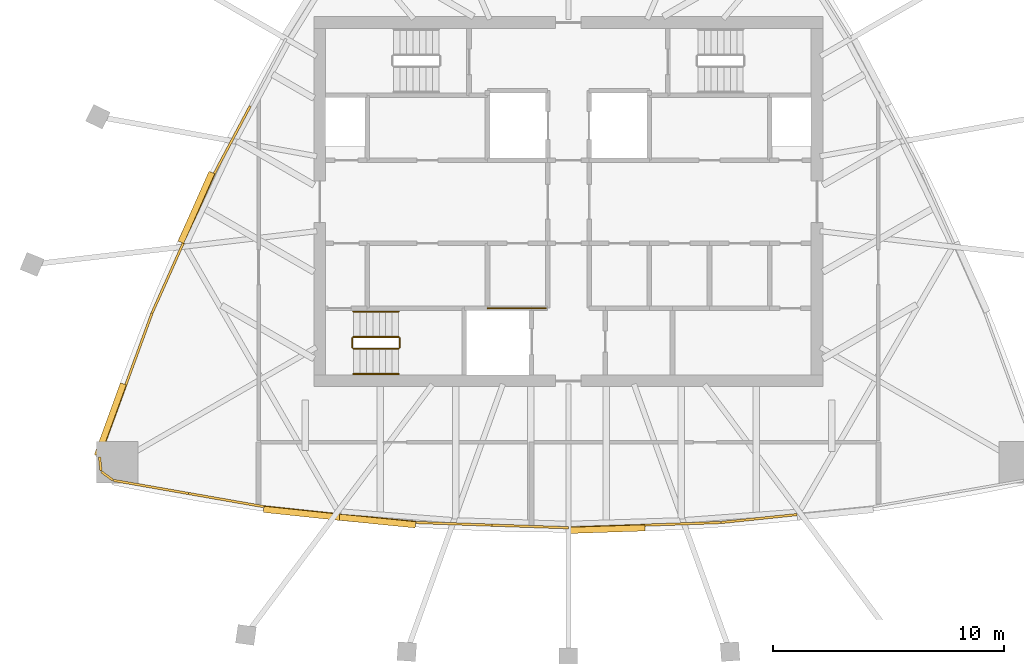
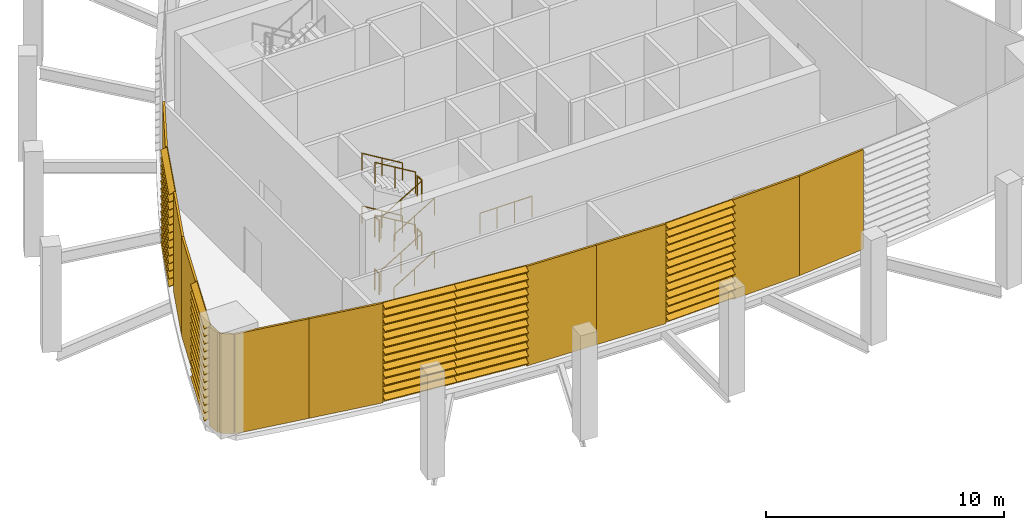
# One storey, part 6 of 8: 13 railings, 11 coverings, 5 shading devices.
"""IFC4 building model written with IfcOpenShell, lengths in metres."""

from ifc_helpers import new_model, si_unit, direction, frame, origin, origin_2d, place, context, subcontext, project, spatial, polyline, circle, outline, extrude, material, layer, layer_set, type_object, element, save


model = new_model("IFC4")

# Units and contexts
model_context = context("Model", 3, precision=1e-05, world=origin(), true_north=direction((0.0, 1.0)))
body_context = subcontext(model_context, "Body", "Model", "MODEL_VIEW")
ifc_project = project(units=[si_unit("LENGTHUNIT", "METRE"), si_unit("AREAUNIT", "SQUARE_METRE"), si_unit("VOLUMEUNIT", "CUBIC_METRE"), si_unit("PLANEANGLEUNIT", "RADIAN"), si_unit("MASSUNIT", "GRAM", prefix="KILO")], contexts=[model_context])

# Site, building, storey
site_placement = place(None, origin())
site = spatial("IfcSite", under=ifc_project, at=site_placement, CompositionType="ELEMENT")
building_placement = place(site_placement, origin())
building = spatial("IfcBuilding", under=site, at=building_placement, Name="Sierra Prisma Convention Tower", CompositionType="ELEMENT")
storey_placement = place(building_placement, frame((0.0, 0.0, 350.199951171875)))
storey = spatial("IfcBuildingStorey", under=building, at=storey_placement, Name="L78", CompositionType="ELEMENT", Elevation=350.199951171875)

# Coverings
ifc_material_1 = material(Name="Aluminium composite bronze anodised", Category="aluminium")
ifc_layer = layer(ifc_material_1, 0.10009765625)
ifc_layer_set = layer_set([ifc_layer], Name="Bronze cladding panel")
covering_type = type_object("IfcCoveringType", Name="Bronze cladding panel", PredefinedType="CLADDING", material=ifc_layer_set)
covering_1_placement = place(storey_placement, origin())
element("IfcCovering", 1, at=covering_1_placement, inside=storey, type_object=covering_type, Name="Crown cladding L78.1", PredefinedType="CLADDING", context=body_context, shape_type="SweptSolid", body=[
    extrude(outline(polyline([(-19.66845703125, -12.000244140625), (-16.41650390625, -12.568603515625), (-16.433837890625, -12.667236328125), (-19.685546875, -12.0986328125), (-19.66845703125, -12.000244140625)])), origin(), (0.0, 0.0, 1.0), 5.10009765625),
])
covering_2_placement = place(storey_placement, origin())
element("IfcCovering", 2, at=covering_2_placement, inside=storey, type_object=covering_type, Name="Crown cladding L78.2", PredefinedType="CLADDING", context=body_context, shape_type="SweptSolid", body=[
    extrude(outline(polyline([(-16.41650390625, -12.568603515625), (-13.164794921875, -13.13720703125), (-13.18212890625, -13.235595703125), (-16.433837890625, -12.667236328125), (-16.41650390625, -12.568603515625)])), origin(), (0.0, 0.0, 1.0), 5.10009765625),
])
covering_3_placement = place(storey_placement, origin())
element("IfcCovering", 3, at=covering_3_placement, inside=storey, type_object=covering_type, Name="Crown cladding L78.5", PredefinedType="CLADDING", context=body_context, shape_type="SweptSolid", body=[
    extrude(outline(polyline([(-6.59814453125, -13.821533203125), (-3.299072265625, -13.935791015625), (-3.302490234375, -14.03564453125), (-6.601806640625, -13.92138671875), (-6.59814453125, -13.821533203125)])), origin(), (0.0, 0.0, 1.0), 5.10009765625),
])
covering_4_placement = place(storey_placement, origin())
element("IfcCovering", 4, at=covering_4_placement, inside=storey, type_object=covering_type, Name="Crown cladding L78.6", PredefinedType="CLADDING", context=body_context, shape_type="SweptSolid", body=[
    extrude(outline(polyline([(-3.299072265625, -13.935791015625), (0.0, -14.050048828125), (-0.00341796875, -14.14990234375), (-3.302490234375, -14.03564453125), (-3.299072265625, -13.935791015625)])), origin(), (0.0, 0.0, 1.0), 5.10009765625),
])
covering_5_placement = place(storey_placement, origin())
element("IfcCovering", 5, at=covering_5_placement, inside=storey, type_object=covering_type, Name="Crown cladding L78.8", PredefinedType="CLADDING", context=body_context, shape_type="SweptSolid", body=[
    extrude(outline(polyline([(3.299072265625, -13.935791015625), (6.59814453125, -13.821533203125), (6.601806640625, -13.92138671875), (3.302490234375, -14.03564453125), (3.299072265625, -13.935791015625)])), origin(), (0.0, 0.0, 1.0), 5.10009765625),
])
covering_6_placement = place(storey_placement, origin())
element("IfcCovering", 6, at=covering_6_placement, inside=storey, type_object=covering_type, Name="Crown cladding L78.9", PredefinedType="CLADDING", context=body_context, shape_type="SweptSolid", body=[
    extrude(outline(polyline([(6.59814453125, -13.821533203125), (9.881591796875, -13.479248046875), (9.891845703125, -13.578857421875), (6.608642578125, -13.9208984375), (6.59814453125, -13.821533203125)])), origin(), (0.0, 0.0, 1.0), 5.10009765625),
])
covering_7_placement = place(storey_placement, origin())
element("IfcCovering", 7, at=covering_7_placement, inside=storey, type_object=covering_type, Name="Crown cladding L78.36", PredefinedType="CLADDING", context=body_context, shape_type="SweptSolid", body=[
    extrude(outline(polyline([(-13.71826171875, 4.11083984375), (-15.268798828125, 1.196533203125), (-15.357177734375, 1.243408203125), (-13.806640625, 4.15771484375), (-13.71826171875, 4.11083984375)])), origin(), (0.0, 0.0, 1.0), 5.10009765625),
])
covering_8_placement = place(storey_placement, origin())
element("IfcCovering", 8, at=covering_8_placement, inside=storey, type_object=covering_type, Name="Crown cladding L78.38", PredefinedType="CLADDING", context=body_context, shape_type="SweptSolid", body=[
    extrude(outline(polyline([(-16.6142578125, -1.818115234375), (-17.95947265625, -4.83251953125), (-18.05078125, -4.791748046875), (-16.70556640625, -1.77734375), (-16.6142578125, -1.818115234375)])), origin(), (0.0, 0.0, 1.0), 5.10009765625),
])
covering_9_placement = place(storey_placement, origin())
element("IfcCovering", 9, at=covering_9_placement, inside=storey, type_object=covering_type, Name="Crown cladding L78.39", PredefinedType="CLADDING", context=body_context, shape_type="SweptSolid", body=[
    extrude(outline(polyline([(-17.95947265625, -4.83251953125), (-19.093017578125, -7.932861328125), (-19.18701171875, -7.8984375), (-18.053466796875, -4.798095703125), (-17.95947265625, -4.83251953125)])), origin(), (0.0, 0.0, 1.0), 5.10009765625),
])
covering_10_placement = place(storey_placement, origin())
element("IfcCovering", 10, at=covering_10_placement, inside=storey, type_object=covering_type, Name="Crown cladding L78.41", PredefinedType="CLADDING", context=body_context, shape_type="SweptSolid", body=[
    extrude(outline(polyline([(-20.2265625, -11.033203125), (-20.163330078125, -11.641357421875), (-20.2626953125, -11.651611328125), (-20.326171875, -11.043701171875), (-20.2265625, -11.033203125)])), origin(), (0.0, 0.0, 1.0), 5.10009765625),
])
covering_11_placement = place(storey_placement, origin())
element("IfcCovering", 11, at=covering_11_placement, inside=storey, type_object=covering_type, Name="Crown cladding L78.42", PredefinedType="CLADDING", context=body_context, shape_type="SweptSolid", body=[
    extrude(outline(polyline([(-20.163330078125, -11.641357421875), (-19.66845703125, -12.000244140625), (-19.72705078125, -12.0810546875), (-20.221923828125, -11.72216796875), (-20.163330078125, -11.641357421875)])), origin(), (0.0, 0.0, 1.0), 5.10009765625),
])

# Railings
ifc_material_2 = material(Name="Stainless steel", Category="steel")
railing_type_1 = type_object("IfcRailingType", Name="Exit stair handrail", PredefinedType="HANDRAIL", material=ifc_material_2)
railing_1_placement = place(storey_placement, frame((-9.300048828125, -7.449951171875, 0.168701171875)))
element("IfcRailing", 12, at=railing_1_placement, inside=storey, type_object=railing_type_1, Name="L78 S1 stair handrail 1", PredefinedType="HANDRAIL", context=body_context, shape_type="SweptSolid", body=[
    extrude(circle(Radius=0.02392578125, at=origin_2d()), frame((0.0, 0.0, 0.8759765625), z_axis=(0.856446297458, 0.0, 0.516236127728), x_axis=(0.0, 1.0, 0.0)), (0.0, 0.0, 1.0), 2.28857421875),
    extrude(circle(Radius=0.02099609375, at=origin_2d()), origin(), (0.0, 0.0, 1.0), 0.851806640625),
    extrude(circle(Radius=0.02099609375, at=origin_2d()), frame((0.97998046875, 0.0, 0.5908203125)), (0.0, 0.0, 1.0), 0.851806640625),
    extrude(circle(Radius=0.02099609375, at=origin_2d()), frame((1.9599609375, 0.0, 1.181396484375)), (0.0, 0.0, 1.0), 0.851806640625),
])
railing_2_placement = place(storey_placement, frame((-7.340087890625, -4.75, 1.518798828125)))
element("IfcRailing", 13, at=railing_2_placement, inside=storey, type_object=railing_type_1, Name="L78 S1 stair handrail 2", PredefinedType="HANDRAIL", context=body_context, shape_type="SweptSolid", body=[
    extrude(circle(Radius=0.02392578125, at=origin_2d()), frame((0.0, 0.0, 0.8759765625), z_axis=(-0.856493463811, 0.0, 0.516157869696), x_axis=(0.0, -1.0, 0.0)), (0.0, 0.0, 1.0), 2.288330078125),
    extrude(circle(Radius=0.02099609375, at=origin_2d()), origin(), (0.0, 0.0, 1.0), 0.851806640625),
    extrude(circle(Radius=0.02099609375, at=origin_2d()), frame((-0.97998046875, 0.0, 0.590576171875)), (0.0, 0.0, 1.0), 0.851806640625),
    extrude(circle(Radius=0.02099609375, at=origin_2d()), frame((-1.9599609375, 0.0, 1.18115234375)), (0.0, 0.0, 1.0), 0.851806640625),
])
railing_3_placement = place(storey_placement, frame((-9.300048828125, -7.449951171875, 2.868896484375)))
element("IfcRailing", 14, at=railing_3_placement, inside=storey, type_object=railing_type_1, Name="L78 S1 stair handrail 3", PredefinedType="HANDRAIL", context=body_context, shape_type="SweptSolid", body=[
    extrude(circle(Radius=0.02392578125, at=origin_2d()), frame((0.0, 0.0, 0.8759765625), z_axis=(0.856493463811, 0.0, 0.516157869696), x_axis=(0.0, 1.0, 0.0)), (0.0, 0.0, 1.0), 2.288330078125),
    extrude(circle(Radius=0.02099609375, at=origin_2d()), origin(), (0.0, 0.0, 1.0), 0.851806640625),
    extrude(circle(Radius=0.02099609375, at=origin_2d()), frame((0.97998046875, 0.0, 0.590576171875)), (0.0, 0.0, 1.0), 0.851806640625),
    extrude(circle(Radius=0.02099609375, at=origin_2d()), frame((1.9599609375, 0.0, 1.18115234375)), (0.0, 0.0, 1.0), 0.851806640625),
])
railing_4_placement = place(storey_placement, frame((-7.340087890625, -4.75, 4.21875)))
element("IfcRailing", 15, at=railing_4_placement, inside=storey, type_object=railing_type_1, Name="L78 S1 stair handrail 4", PredefinedType="HANDRAIL", context=body_context, shape_type="SweptSolid", body=[
    extrude(circle(Radius=0.02392578125, at=origin_2d()), frame((0.0, 0.0, 0.8759765625), z_axis=(-0.856446297458, 0.0, 0.516236127728), x_axis=(0.0, -1.0, 0.0)), (0.0, 0.0, 1.0), 2.28857421875),
    extrude(circle(Radius=0.02099609375, at=origin_2d()), origin(), (0.0, 0.0, 1.0), 0.851806640625),
    extrude(circle(Radius=0.02099609375, at=origin_2d()), frame((-0.97998046875, 0.0, 0.5908203125)), (0.0, 0.0, 1.0), 0.851806640625),
    extrude(circle(Radius=0.02099609375, at=origin_2d()), frame((-1.9599609375, 0.0, 1.181396484375)), (0.0, 0.0, 1.0), 0.851806640625),
])
ifc_material_3 = material(Name="Bronze anodised aluminium", Category="aluminium")
railing_type_2 = type_object("IfcRailingType", Name="Facade guard 1100", PredefinedType="GUARDRAIL", material=ifc_material_3)
railing_5_placement = place(storey_placement, frame((-3.5, -4.60009765625, 0.0)))
element("IfcRailing", 16, at=railing_5_placement, inside=storey, type_object=railing_type_2, Name="Lift opening guard", PredefinedType="GUARDRAIL", context=body_context, shape_type="SweptSolid", body=[
    extrude(circle(Radius=0.02392578125, at=origin_2d()), frame((0.0, 0.0, 1.076171875), z_axis=(1.0, 0.0, 0.0), x_axis=(0.0, 1.0, 0.0)), (0.0, 0.0, 1.0), 2.530029296875),
    extrude(circle(Radius=0.02099609375, at=origin_2d()), origin(), (0.0, 0.0, 1.0), 1.052001953125),
    extrude(circle(Radius=0.02099609375, at=origin_2d()), frame((0.84326171875, 0.0, 0.0)), (0.0, 0.0, 1.0), 1.052001953125),
    extrude(circle(Radius=0.02099609375, at=origin_2d()), frame((1.686767578125, 0.0, 0.0)), (0.0, 0.0, 1.0), 1.052001953125),
    extrude(circle(Radius=0.02099609375, at=origin_2d()), frame((2.530029296875, 0.0, 0.0)), (0.0, 0.0, 1.0), 1.052001953125),
])

# Shading devices
ifc_material_4 = material(Name="Aluminium 6063-T6 bronze anodised", Category="aluminium")
shading_device_type = type_object("IfcShadingDeviceType", Name="Louvre bay bronze", PredefinedType="USERDEFINED", material=ifc_material_4)
shading_device_1_placement = place(storey_placement, frame((-13.164794921875, -13.13720703125, 0.0), z_axis=(-0.994456359272, 0.105150128405, 0.0), x_axis=(0.0, 0.0, 1.0)))
element("IfcShadingDevice", 17, at=shading_device_1_placement, inside=storey, type_object=shading_device_type, Name="Crown louvre L78.3", ObjectType="LOUVRE", PredefinedType="USERDEFINED", context=body_context, shape_type="SweptSolid", body=[
    extrude(outline(polyline([(0.0, 0.0), (5.10009765625, 0.0), (5.10009765625, -0.029953766479600172), (5.080078125, -0.029953766479600172), (4.9599609375, -0.2999718963540422), (4.929931640625, -0.2999718963540422), (5.050048828125, -0.029953766479600172), (4.707763671875, -0.029953766479600172), (4.687744140625, -0.029953766479600172), (4.567626953125, -0.2999718963540422), (4.537841796875, -0.2999718963540422), (4.65771484375, -0.029953766479600172), (4.3154296875, -0.029953766479600172), (4.29541015625, -0.029953766479600172), (4.175537109375, -0.2999718963540422), (4.1455078125, -0.2999718963540422), (4.265380859375, -0.029953766479600172), (3.923095703125, -0.029953766479600172), (3.903076171875, -0.029953766479600172), (3.783203125, -0.2999718963540422), (3.753173828125, -0.2999718963540422), (3.873046875, -0.029953766479600172), (3.53076171875, -0.029953766479600172), (3.5107421875, -0.029953766479600172), (3.390869140625, -0.2999718963540422), (3.36083984375, -0.2999718963540422), (3.480712890625, -0.029953766479600172), (3.138427734375, -0.029953766479600172), (3.118408203125, -0.029953766479600172), (2.99853515625, -0.2999718963540422), (2.968505859375, -0.2999718963540422), (3.088623046875, -0.029953766479600172), (2.74609375, -0.029953766479600172), (2.726318359375, -0.029953766479600172), (2.606201171875, -0.2999718963540422), (2.576171875, -0.2999718963540422), (2.6962890625, -0.029953766479600172), (2.35400390625, -0.029953766479600172), (2.333984375, -0.029953766479600172), (2.2138671875, -0.2999718963540422), (2.183837890625, -0.2999718963540422), (2.303955078125, -0.029953766479600172), (1.961669921875, -0.029953766479600172), (1.941650390625, -0.029953766479600172), (1.821533203125, -0.2999718963540422), (1.79150390625, -0.2999718963540422), (1.91162109375, -0.029953766479600172), (1.5693359375, -0.029953766479600172), (1.54931640625, -0.029953766479600172), (1.42919921875, -0.2999718963540422), (1.399169921875, -0.2999718963540422), (1.519287109375, -0.029953766479600172), (1.177001953125, -0.029953766479600172), (1.156982421875, -0.029953766479600172), (1.036865234375, -0.2999718963540422), (1.007080078125, -0.2999718963540422), (1.126953125, -0.029953766479600172), (0.78466796875, -0.029953766479600172), (0.7646484375, -0.029953766479600172), (0.644775390625, -0.2999718963540422), (0.61474609375, -0.2999718963540422), (0.734619140625, -0.029953766479600172), (0.392333984375, -0.029953766479600172), (0.372314453125, -0.029953766479600172), (0.25244140625, -0.2999718963540422), (0.222412109375, -0.2999718963540422), (0.34228515625, -0.029953766479600172), (0.0, -0.029953766479600172), (0.0, 0.0)])), origin(), (0.0, 0.0, -1.0), 3.301025390625),
])
shading_device_2_placement = place(storey_placement, frame((-9.881591796875, -13.479248046875, 0.0), z_axis=(-0.99499427117, 0.09993197856, 0.0), x_axis=(0.0, 0.0, 1.0)))
element("IfcShadingDevice", 18, at=shading_device_2_placement, inside=storey, type_object=shading_device_type, Name="Crown louvre L78.4", ObjectType="LOUVRE", PredefinedType="USERDEFINED", context=body_context, shape_type="SweptSolid", body=[
    extrude(outline(polyline([(0.0, 0.0), (5.10009765625, 0.0), (5.10009765625, -0.030171747826325142), (5.080078125, -0.030171747826325142), (4.9599609375, -0.29994491226729436), (4.929931640625, -0.29994491226729436), (5.050048828125, -0.030171747826325142), (4.707763671875, -0.030171747826325142), (4.687744140625, -0.030171747826325142), (4.567626953125, -0.29994491226729436), (4.537841796875, -0.29994491226729436), (4.65771484375, -0.030171747826325142), (4.3154296875, -0.030171747826325142), (4.29541015625, -0.030171747826325142), (4.175537109375, -0.29994491226729436), (4.1455078125, -0.29994491226729436), (4.265380859375, -0.030171747826325142), (3.923095703125, -0.030171747826325142), (3.903076171875, -0.030171747826325142), (3.783203125, -0.29994491226729436), (3.753173828125, -0.29994491226729436), (3.873046875, -0.030171747826325142), (3.53076171875, -0.030171747826325142), (3.5107421875, -0.030171747826325142), (3.390869140625, -0.29994491226729436), (3.36083984375, -0.29994491226729436), (3.480712890625, -0.030171747826325142), (3.138427734375, -0.030171747826325142), (3.118408203125, -0.030171747826325142), (2.99853515625, -0.29994491226729436), (2.968505859375, -0.29994491226729436), (3.088623046875, -0.030171747826325142), (2.74609375, -0.030171747826325142), (2.726318359375, -0.030171747826325142), (2.606201171875, -0.29994491226729436), (2.576171875, -0.29994491226729436), (2.6962890625, -0.030171747826325142), (2.35400390625, -0.030171747826325142), (2.333984375, -0.030171747826325142), (2.2138671875, -0.29994491226729436), (2.183837890625, -0.29994491226729436), (2.303955078125, -0.030171747826325142), (1.961669921875, -0.030171747826325142), (1.941650390625, -0.030171747826325142), (1.821533203125, -0.29994491226729436), (1.79150390625, -0.29994491226729436), (1.91162109375, -0.030171747826325142), (1.5693359375, -0.030171747826325142), (1.54931640625, -0.030171747826325142), (1.42919921875, -0.29994491226729436), (1.399169921875, -0.29994491226729436), (1.519287109375, -0.030171747826325142), (1.177001953125, -0.030171747826325142), (1.156982421875, -0.030171747826325142), (1.036865234375, -0.29994491226729436), (1.007080078125, -0.29994491226729436), (1.126953125, -0.030171747826325142), (0.78466796875, -0.030171747826325142), (0.7646484375, -0.030171747826325142), (0.644775390625, -0.29994491226729436), (0.61474609375, -0.29994491226729436), (0.734619140625, -0.030171747826325142), (0.392333984375, -0.030171747826325142), (0.372314453125, -0.030171747826325142), (0.25244140625, -0.29994491226729436), (0.222412109375, -0.29994491226729436), (0.34228515625, -0.030171747826325142), (0.0, -0.030171747826325142), (0.0, 0.0)])), origin(), (0.0, 0.0, -1.0), 3.301025390625),
])
shading_device_3_placement = place(storey_placement, frame((0.0, -14.050048828125, 0.0), z_axis=(-0.999434322262, -0.033630871017, 0.0), x_axis=(0.0, 0.0, 1.0)))
element("IfcShadingDevice", 19, at=shading_device_3_placement, inside=storey, type_object=shading_device_type, Name="Crown louvre L78.7", ObjectType="LOUVRE", PredefinedType="USERDEFINED", context=body_context, shape_type="SweptSolid", body=[
    extrude(outline(polyline([(0.0, 0.0), (5.10009765625, 0.0), (5.10009765625, -0.030045152617737544), (5.080078125, -0.030045152617737544), (4.9599609375, -0.29998815312281707), (4.929931640625, -0.29998815312281707), (5.050048828125, -0.030045152617737544), (4.707763671875, -0.030045152617737544), (4.687744140625, -0.030045152617737544), (4.567626953125, -0.29998815312281707), (4.537841796875, -0.29998815312281707), (4.65771484375, -0.030045152617737544), (4.3154296875, -0.030045152617737544), (4.29541015625, -0.030045152617737544), (4.175537109375, -0.29998815312281707), (4.1455078125, -0.29998815312281707), (4.265380859375, -0.030045152617737544), (3.923095703125, -0.030045152617737544), (3.903076171875, -0.030045152617737544), (3.783203125, -0.29998815312281707), (3.753173828125, -0.29998815312281707), (3.873046875, -0.030045152617737544), (3.53076171875, -0.030045152617737544), (3.5107421875, -0.030045152617737544), (3.390869140625, -0.29998815312281707), (3.36083984375, -0.29998815312281707), (3.480712890625, -0.030045152617737544), (3.138427734375, -0.030045152617737544), (3.118408203125, -0.030045152617737544), (2.99853515625, -0.29998815312281707), (2.968505859375, -0.29998815312281707), (3.088623046875, -0.030045152617737544), (2.74609375, -0.030045152617737544), (2.726318359375, -0.030045152617737544), (2.606201171875, -0.29998815312281707), (2.576171875, -0.29998815312281707), (2.6962890625, -0.030045152617737544), (2.35400390625, -0.030045152617737544), (2.333984375, -0.030045152617737544), (2.2138671875, -0.29998815312281707), (2.183837890625, -0.29998815312281707), (2.303955078125, -0.030045152617737544), (1.961669921875, -0.030045152617737544), (1.941650390625, -0.030045152617737544), (1.821533203125, -0.29998815312281707), (1.79150390625, -0.29998815312281707), (1.91162109375, -0.030045152617737544), (1.5693359375, -0.030045152617737544), (1.54931640625, -0.030045152617737544), (1.42919921875, -0.29998815312281707), (1.399169921875, -0.29998815312281707), (1.519287109375, -0.030045152617737544), (1.177001953125, -0.030045152617737544), (1.156982421875, -0.030045152617737544), (1.036865234375, -0.29998815312281707), (1.007080078125, -0.29998815312281707), (1.126953125, -0.030045152617737544), (0.78466796875, -0.030045152617737544), (0.7646484375, -0.030045152617737544), (0.644775390625, -0.29998815312281707), (0.61474609375, -0.29998815312281707), (0.734619140625, -0.030045152617737544), (0.392333984375, -0.030045152617737544), (0.372314453125, -0.030045152617737544), (0.25244140625, -0.29998815312281707), (0.222412109375, -0.29998815312281707), (0.34228515625, -0.030045152617737544), (0.0, -0.030045152617737544), (0.0, 0.0)])), origin(), (0.0, 0.0, -1.0), 3.301025390625),
])
shading_device_4_placement = place(storey_placement, frame((-15.268798828125, 1.196533203125, 0.0), z_axis=(0.40589461586, 0.913919887526, 0.0), x_axis=(0.0, 0.0, 1.0)))
element("IfcShadingDevice", 20, at=shading_device_4_placement, inside=storey, type_object=shading_device_type, Name="Crown louvre L78.37", ObjectType="LOUVRE", PredefinedType="USERDEFINED", context=body_context, shape_type="SweptSolid", body=[
    extrude(outline(polyline([(0.0, 0.0), (5.10009765625, 0.0), (5.10009765625, -0.03016789015709427), (5.080078125, -0.03016789015709427), (4.9599609375, -0.30021612212835924), (4.929931640625, -0.30021612212835924), (5.050048828125, -0.03016789015709427), (4.707763671875, -0.03016789015709427), (4.687744140625, -0.03016789015709427), (4.567626953125, -0.30021612212835924), (4.537841796875, -0.30021612212835924), (4.65771484375, -0.03016789015709427), (4.3154296875, -0.03016789015709427), (4.29541015625, -0.03016789015709427), (4.175537109375, -0.30021612212835924), (4.1455078125, -0.30021612212835924), (4.265380859375, -0.03016789015709427), (3.923095703125, -0.03016789015709427), (3.903076171875, -0.03016789015709427), (3.783203125, -0.30021612212835924), (3.753173828125, -0.30021612212835924), (3.873046875, -0.03016789015709427), (3.53076171875, -0.03016789015709427), (3.5107421875, -0.03016789015709427), (3.390869140625, -0.30021612212835924), (3.36083984375, -0.30021612212835924), (3.480712890625, -0.03016789015709427), (3.138427734375, -0.03016789015709427), (3.118408203125, -0.03016789015709427), (2.99853515625, -0.30021612212835924), (2.968505859375, -0.30021612212835924), (3.088623046875, -0.03016789015709427), (2.74609375, -0.03016789015709427), (2.726318359375, -0.03016789015709427), (2.606201171875, -0.30021612212835924), (2.576171875, -0.30021612212835924), (2.6962890625, -0.03016789015709427), (2.35400390625, -0.03016789015709427), (2.333984375, -0.03016789015709427), (2.2138671875, -0.30021612212835924), (2.183837890625, -0.30021612212835924), (2.303955078125, -0.03016789015709427), (1.961669921875, -0.03016789015709427), (1.941650390625, -0.03016789015709427), (1.821533203125, -0.30021612212835924), (1.79150390625, -0.30021612212835924), (1.91162109375, -0.03016789015709427), (1.5693359375, -0.03016789015709427), (1.54931640625, -0.03016789015709427), (1.42919921875, -0.30021612212835924), (1.399169921875, -0.30021612212835924), (1.519287109375, -0.03016789015709427), (1.177001953125, -0.03016789015709427), (1.156982421875, -0.03016789015709427), (1.036865234375, -0.30021612212835924), (1.007080078125, -0.30021612212835924), (1.126953125, -0.03016789015709427), (0.78466796875, -0.03016789015709427), (0.7646484375, -0.03016789015709427), (0.644775390625, -0.30021612212835924), (0.61474609375, -0.30021612212835924), (0.734619140625, -0.03016789015709427), (0.392333984375, -0.03016789015709427), (0.372314453125, -0.03016789015709427), (0.25244140625, -0.30021612212835924), (0.222412109375, -0.30021612212835924), (0.34228515625, -0.03016789015709427), (0.0, -0.03016789015709427), (0.0, 0.0)])), origin(), (0.0, 0.0, -1.0), 3.301025390625),
])
shading_device_5_placement = place(storey_placement, frame((-19.093017578125, -7.932861328125, 0.0), z_axis=(0.34179760104, 0.939773589714, 0.0), x_axis=(0.0, 0.0, 1.0)))
element("IfcShadingDevice", 21, at=shading_device_5_placement, inside=storey, type_object=shading_device_type, Name="Crown louvre L78.40", ObjectType="LOUVRE", PredefinedType="USERDEFINED", context=body_context, shape_type="SweptSolid", body=[
    extrude(outline(polyline([(0.0, 0.0), (5.10009765625, 0.0), (5.10009765625, -0.030119442297476717), (5.080078125, -0.030119442297476717), (4.9599609375, -0.2999846948653433), (4.929931640625, -0.2999846948653433), (5.050048828125, -0.030119442297476717), (4.707763671875, -0.030119442297476717), (4.687744140625, -0.030119442297476717), (4.567626953125, -0.2999846948653433), (4.537841796875, -0.2999846948653433), (4.65771484375, -0.030119442297476717), (4.3154296875, -0.030119442297476717), (4.29541015625, -0.030119442297476717), (4.175537109375, -0.2999846948653433), (4.1455078125, -0.2999846948653433), (4.265380859375, -0.030119442297476717), (3.923095703125, -0.030119442297476717), (3.903076171875, -0.030119442297476717), (3.783203125, -0.2999846948653433), (3.753173828125, -0.2999846948653433), (3.873046875, -0.030119442297476717), (3.53076171875, -0.030119442297476717), (3.5107421875, -0.030119442297476717), (3.390869140625, -0.2999846948653433), (3.36083984375, -0.2999846948653433), (3.480712890625, -0.030119442297476717), (3.138427734375, -0.030119442297476717), (3.118408203125, -0.030119442297476717), (2.99853515625, -0.2999846948653433), (2.968505859375, -0.2999846948653433), (3.088623046875, -0.030119442297476717), (2.74609375, -0.030119442297476717), (2.726318359375, -0.030119442297476717), (2.606201171875, -0.2999846948653433), (2.576171875, -0.2999846948653433), (2.6962890625, -0.030119442297476717), (2.35400390625, -0.030119442297476717), (2.333984375, -0.030119442297476717), (2.2138671875, -0.2999846948653433), (2.183837890625, -0.2999846948653433), (2.303955078125, -0.030119442297476717), (1.961669921875, -0.030119442297476717), (1.941650390625, -0.030119442297476717), (1.821533203125, -0.2999846948653433), (1.79150390625, -0.2999846948653433), (1.91162109375, -0.030119442297476717), (1.5693359375, -0.030119442297476717), (1.54931640625, -0.030119442297476717), (1.42919921875, -0.2999846948653433), (1.399169921875, -0.2999846948653433), (1.519287109375, -0.030119442297476717), (1.177001953125, -0.030119442297476717), (1.156982421875, -0.030119442297476717), (1.036865234375, -0.2999846948653433), (1.007080078125, -0.2999846948653433), (1.126953125, -0.030119442297476717), (0.78466796875, -0.030119442297476717), (0.7646484375, -0.030119442297476717), (0.644775390625, -0.2999846948653433), (0.61474609375, -0.2999846948653433), (0.734619140625, -0.030119442297476717), (0.392333984375, -0.030119442297476717), (0.372314453125, -0.030119442297476717), (0.25244140625, -0.2999846948653433), (0.222412109375, -0.2999846948653433), (0.34228515625, -0.030119442297476717), (0.0, -0.030119442297476717), (0.0, 0.0)])), origin(), (0.0, 0.0, -1.0), 3.301025390625),
])

# Railings
ifc_material_5 = material(Name="Stainless steel", Category="steel")
railing_type_3 = type_object("IfcRailingType", Name="Stair guard 1100", PredefinedType="GUARDRAIL", material=ifc_material_5)
railing_6_placement = place(storey_placement, frame((-9.300048828125, -6.35009765625, 0.168701171875)))
element("IfcRailing", 22, at=railing_6_placement, inside=storey, type_object=railing_type_3, Name="L78 S1 stair guard 1", PredefinedType="GUARDRAIL", context=body_context, shape_type="SweptSolid", body=[
    extrude(circle(Radius=0.02392578125, at=origin_2d()), frame((0.0, 0.0, 1.076171875), z_axis=(0.856446297458, 0.0, 0.516236127728), x_axis=(0.0, 1.0, 0.0)), (0.0, 0.0, 1.0), 2.28857421875),
    extrude(circle(Radius=0.02099609375, at=origin_2d()), origin(), (0.0, 0.0, 1.0), 1.052001953125),
    extrude(circle(Radius=0.02099609375, at=origin_2d()), frame((0.97998046875, 0.0, 0.5908203125)), (0.0, 0.0, 1.0), 1.052001953125),
    extrude(circle(Radius=0.02099609375, at=origin_2d()), frame((1.9599609375, 0.0, 1.181396484375)), (0.0, 0.0, 1.0), 1.052001953125),
])
railing_7_placement = place(storey_placement, frame((-7.2900390625, -6.300048828125, 1.35009765625)))
element("IfcRailing", 23, at=railing_7_placement, inside=storey, type_object=railing_type_3, Name="L78 S1 stair guard 2", PredefinedType="GUARDRAIL", context=body_context, shape_type="SweptSolid", body=[
    extrude(circle(Radius=0.02392578125, at=origin_2d()), frame((0.0, 0.0, 1.076171875), z_axis=(0.0, 1.0, 0.0), x_axis=(-1.0, 0.0, 0.0)), (0.0, 0.0, 1.0), 0.400146484375),
    extrude(circle(Radius=0.02099609375, at=origin_2d()), origin(), (0.0, 0.0, 1.0), 1.052001953125),
    extrude(circle(Radius=0.02099609375, at=origin_2d()), frame((0.0, 0.400146484375, 0.0)), (0.0, 0.0, 1.0), 1.052001953125),
])
railing_8_placement = place(storey_placement, frame((-7.340087890625, -5.85009765625, 1.518798828125)))
element("IfcRailing", 24, at=railing_8_placement, inside=storey, type_object=railing_type_3, Name="L78 S1 stair guard 3", PredefinedType="GUARDRAIL", context=body_context, shape_type="SweptSolid", body=[
    extrude(circle(Radius=0.02392578125, at=origin_2d()), frame((0.0, 0.0, 1.076171875), z_axis=(-0.856493463811, 0.0, 0.516157869696), x_axis=(0.0, -1.0, 0.0)), (0.0, 0.0, 1.0), 2.288330078125),
    extrude(circle(Radius=0.02099609375, at=origin_2d()), origin(), (0.0, 0.0, 1.0), 1.052001953125),
    extrude(circle(Radius=0.02099609375, at=origin_2d()), frame((-0.97998046875, 0.0, 0.590576171875)), (0.0, 0.0, 1.0), 1.052001953125),
    extrude(circle(Radius=0.02099609375, at=origin_2d()), frame((-1.9599609375, 0.0, 1.18115234375)), (0.0, 0.0, 1.0), 1.052001953125),
])
railing_9_placement = place(storey_placement, frame((-9.35009765625, -6.300048828125, 2.699951171875)))
element("IfcRailing", 25, at=railing_9_placement, inside=storey, type_object=railing_type_3, Name="L78 S1 stair guard 4", PredefinedType="GUARDRAIL", context=body_context, shape_type="SweptSolid", body=[
    extrude(circle(Radius=0.02392578125, at=origin_2d()), frame((0.0, 0.0, 1.076171875), z_axis=(0.0, 1.0, 0.0), x_axis=(-1.0, 0.0, 0.0)), (0.0, 0.0, 1.0), 0.400146484375),
    extrude(circle(Radius=0.02099609375, at=origin_2d()), origin(), (0.0, 0.0, 1.0), 1.052001953125),
    extrude(circle(Radius=0.02099609375, at=origin_2d()), frame((0.0, 0.400146484375, 0.0)), (0.0, 0.0, 1.0), 1.052001953125),
])
railing_10_placement = place(storey_placement, frame((-9.300048828125, -6.35009765625, 2.868896484375)))
element("IfcRailing", 26, at=railing_10_placement, inside=storey, type_object=railing_type_3, Name="L78 S1 stair guard 5", PredefinedType="GUARDRAIL", context=body_context, shape_type="SweptSolid", body=[
    extrude(circle(Radius=0.02392578125, at=origin_2d()), frame((0.0, 0.0, 1.076171875), z_axis=(0.856493463811, 0.0, 0.516157869696), x_axis=(0.0, 1.0, 0.0)), (0.0, 0.0, 1.0), 2.288330078125),
    extrude(circle(Radius=0.02099609375, at=origin_2d()), origin(), (0.0, 0.0, 1.0), 1.052001953125),
    extrude(circle(Radius=0.02099609375, at=origin_2d()), frame((0.97998046875, 0.0, 0.590576171875)), (0.0, 0.0, 1.0), 1.052001953125),
    extrude(circle(Radius=0.02099609375, at=origin_2d()), frame((1.9599609375, 0.0, 1.18115234375)), (0.0, 0.0, 1.0), 1.052001953125),
])
railing_11_placement = place(storey_placement, frame((-7.2900390625, -6.300048828125, 4.050048828125)))
element("IfcRailing", 27, at=railing_11_placement, inside=storey, type_object=railing_type_3, Name="L78 S1 stair guard 6", PredefinedType="GUARDRAIL", context=body_context, shape_type="SweptSolid", body=[
    extrude(circle(Radius=0.02392578125, at=origin_2d()), frame((0.0, 0.0, 1.076171875), z_axis=(0.0, 1.0, 0.0), x_axis=(-1.0, 0.0, 0.0)), (0.0, 0.0, 1.0), 0.400146484375),
    extrude(circle(Radius=0.02099609375, at=origin_2d()), origin(), (0.0, 0.0, 1.0), 1.052001953125),
    extrude(circle(Radius=0.02099609375, at=origin_2d()), frame((0.0, 0.400146484375, 0.0)), (0.0, 0.0, 1.0), 1.052001953125),
])
railing_12_placement = place(storey_placement, frame((-7.340087890625, -5.85009765625, 4.21875)))
element("IfcRailing", 28, at=railing_12_placement, inside=storey, type_object=railing_type_3, Name="L78 S1 stair guard 7", PredefinedType="GUARDRAIL", context=body_context, shape_type="SweptSolid", body=[
    extrude(circle(Radius=0.02392578125, at=origin_2d()), frame((0.0, 0.0, 1.076171875), z_axis=(-0.856446297458, 0.0, 0.516236127728), x_axis=(0.0, -1.0, 0.0)), (0.0, 0.0, 1.0), 2.28857421875),
    extrude(circle(Radius=0.02099609375, at=origin_2d()), origin(), (0.0, 0.0, 1.0), 1.052001953125),
    extrude(circle(Radius=0.02099609375, at=origin_2d()), frame((-0.97998046875, 0.0, 0.5908203125)), (0.0, 0.0, 1.0), 1.052001953125),
    extrude(circle(Radius=0.02099609375, at=origin_2d()), frame((-1.9599609375, 0.0, 1.181396484375)), (0.0, 0.0, 1.0), 1.052001953125),
])
railing_13_placement = place(storey_placement, frame((-9.35009765625, -6.300048828125, 0.0)))
element("IfcRailing", 29, at=railing_13_placement, inside=storey, type_object=railing_type_3, Name="L78 S1 stair guard 8", PredefinedType="GUARDRAIL", context=body_context, shape_type="SweptSolid", body=[
    extrude(circle(Radius=0.02392578125, at=origin_2d()), frame((0.0, 0.0, 1.076171875), z_axis=(0.0, 1.0, 0.0), x_axis=(-1.0, 0.0, 0.0)), (0.0, 0.0, 1.0), 0.400146484375),
    extrude(circle(Radius=0.02099609375, at=origin_2d()), origin(), (0.0, 0.0, 1.0), 1.052001953125),
    extrude(circle(Radius=0.02099609375, at=origin_2d()), frame((0.0, 0.400146484375, 0.0)), (0.0, 0.0, 1.0), 1.052001953125),
])

save(model, "model.ifc")
